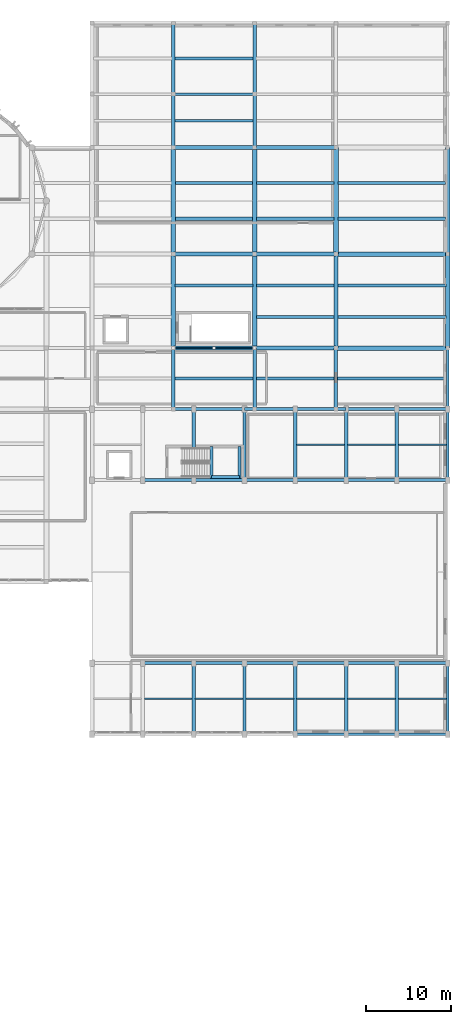
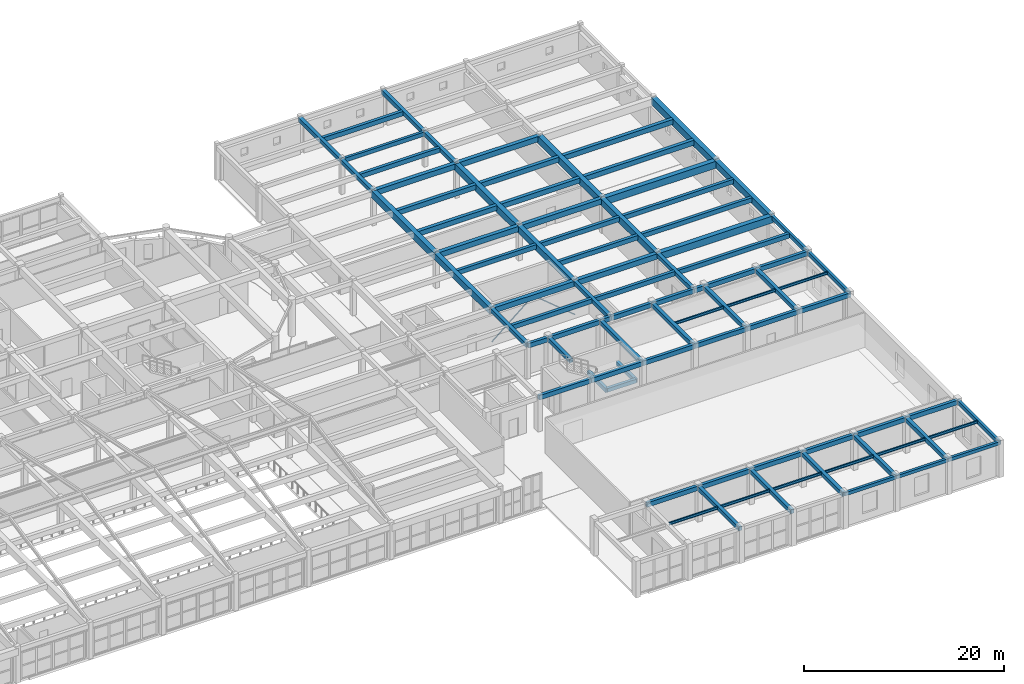
# One storey, part 54 of 91: 88 beams, 2 members.
"""IFC4 building model written with IfcOpenShell, lengths in metres."""

from ifc_helpers import new_model, si_unit, direction, frame, origin, origin_2d, place, context, subcontext, project, spatial, rectangle, hollow_circle, i_section, extrude, material, material_profile, profile_set, type_object, element, save


model = new_model("IFC4")

# Units and contexts
model_context = context("Model", 3, precision=1e-05, world=origin(), true_north=direction((0.0, 1.0)))
body_context = subcontext(model_context, "Body", "Model", "MODEL_VIEW")
ifc_project = project(units=[si_unit("LENGTHUNIT", "METRE"), si_unit("AREAUNIT", "SQUARE_METRE"), si_unit("VOLUMEUNIT", "CUBIC_METRE"), si_unit("PLANEANGLEUNIT", "RADIAN"), si_unit("MASSUNIT", "GRAM", prefix="KILO")], contexts=[model_context])

# Site, building, storey
site_placement = place(None, origin())
site = spatial("IfcSite", under=ifc_project, at=site_placement, CompositionType="ELEMENT")
building_placement = place(site_placement, origin())
building = spatial("IfcBuilding", under=site, at=building_placement, Name="Tarnavel Promenade Courthouse", CompositionType="ELEMENT")
storey_placement = place(building_placement, frame((0.0, 0.0, 9.89990234375)))
storey = spatial("IfcBuildingStorey", under=building, at=storey_placement, Name="L03", CompositionType="ELEMENT", Elevation=9.89990234375)

# Beams
ifc_material_1 = material(Name="Concrete C40/50", Category="concrete")
ifc_material_profile_1 = material_profile(ifc_material_1, rectangle(XDim=0.35009765625, YDim=0.550048828125, at=origin_2d()), Name="PT 350x550")
ifc_profile_set_1 = profile_set([ifc_material_profile_1], Name="Concrete C40/50")
beam_type_1 = type_object("IfcBeamType", Name="Concrete C40/50 BM-PT-350x550 (PT 350x550)", PredefinedType="JOIST", material=ifc_profile_set_1)
beam_1_placement = place(storey_placement, frame((129.77001953125, 70.800048828125, 3.97021484375), z_axis=(1.0, 0.0, 0.0), x_axis=(0.0, 1.0, 0.0)))
element("IfcBeam", 1, at=beam_1_placement, inside=storey, type_object=beam_type_1, Name="L03 Secondary Floor Rib 1861", PredefinedType="JOIST", context=body_context, shape_type="SweptSolid", body=[
    extrude(rectangle(XDim=0.35009765625, YDim=0.550048828125, at=origin_2d()), origin(), (0.0, 0.0, 1.0), 9.260009765625),
])
beam_2_placement = place(storey_placement, frame((139.3701171875, 70.800048828125, 3.97021484375), z_axis=(1.0, 0.0, 0.0), x_axis=(0.0, 1.0, 0.0)))
element("IfcBeam", 2, at=beam_2_placement, inside=storey, type_object=beam_type_1, Name="L03 Secondary Floor Rib 1862", PredefinedType="JOIST", context=body_context, shape_type="SweptSolid", body=[
    extrude(rectangle(XDim=0.35009765625, YDim=0.550048828125, at=origin_2d()), origin(), (0.0, 0.0, 1.0), 9.259765625),
])
beam_3_placement = place(storey_placement, frame((148.969970703125, 70.800048828125, 3.97021484375), z_axis=(1.0, 0.0, 0.0), x_axis=(0.0, 1.0, 0.0)))
element("IfcBeam", 3, at=beam_3_placement, inside=storey, type_object=beam_type_1, Name="L03 Secondary Floor Rib 1863", PredefinedType="JOIST", context=body_context, shape_type="SweptSolid", body=[
    extrude(rectangle(XDim=0.35009765625, YDim=0.550048828125, at=origin_2d()), origin(), (0.0, 0.0, 1.0), 12.909912109375),
])
beam_4_placement = place(storey_placement, frame((129.820068359375, 81.800048828125, 3.97021484375), z_axis=(1.0, 0.0, 0.0), x_axis=(0.0, 1.0, 0.0)))
element("IfcBeam", 4, at=beam_4_placement, inside=storey, type_object=beam_type_1, Name="L03 Secondary Floor Rib 1874", PredefinedType="JOIST", context=body_context, shape_type="SweptSolid", body=[
    extrude(rectangle(XDim=0.35009765625, YDim=0.550048828125, at=origin_2d()), origin(), (0.0, 0.0, 1.0), 9.159912109375),
])
for number, where, z_axis, x_axis, name in (
    (5, (139.419921875, 78.10009765625, 3.97021484375), (1.0, 0.0, 0.0), (0.0, 1.0, 0.0), "L03 Secondary Floor Rib 1875"),
    (6, (139.419921875, 81.800048828125, 3.97021484375), (1.0, 0.0, 0.0), (0.0, 1.0, 0.0), "L03 Secondary Floor Rib 1876"),
):
    element("IfcBeam", number, at=place(storey_placement, frame(where, z_axis=z_axis, x_axis=x_axis)), inside=storey, type_object=beam_type_1, Name=name, PredefinedType="JOIST", context=body_context, shape_type="SweptSolid", body=[
        extrude(rectangle(XDim=0.35009765625, YDim=0.550048828125, at=origin_2d()), origin(), (0.0, 0.0, 1.0), 9.16015625),
    ])
for number, where, z_axis, x_axis, name in (
    (7, (149.02001953125, 78.10009765625, 3.97021484375), (1.0, 0.0, 0.0), (0.0, 1.0, 0.0), "L03 Secondary Floor Rib 1877"),
    (8, (149.02001953125, 81.800048828125, 3.97021484375), (1.0, 0.0, 0.0), (0.0, 1.0, 0.0), "L03 Secondary Floor Rib 1878"),
):
    element("IfcBeam", number, at=place(storey_placement, frame(where, z_axis=z_axis, x_axis=x_axis)), inside=storey, type_object=beam_type_1, Name=name, PredefinedType="JOIST", context=body_context, shape_type="SweptSolid", body=[
        extrude(rectangle(XDim=0.35009765625, YDim=0.550048828125, at=origin_2d()), origin(), (0.0, 0.0, 1.0), 12.760009765625),
    ])
for number, where, z_axis, x_axis, name in (
    (9, (129.77001953125, 108.60009765625, 3.97021484375), (1.0, 0.0, 0.0), (0.0, 1.0, 0.0), "L03 Secondary Floor Rib 1953"),
    (10, (129.77001953125, 101.25, 3.97021484375), (1.0, 0.0, 0.0), (0.0, 1.0, 0.0), "L03 Secondary Floor Rib 1961"),
):
    element("IfcBeam", number, at=place(storey_placement, frame(where, z_axis=z_axis, x_axis=x_axis)), inside=storey, type_object=beam_type_1, Name=name, PredefinedType="JOIST", context=body_context, shape_type="SweptSolid", body=[
        extrude(rectangle(XDim=0.35009765625, YDim=0.550048828125, at=origin_2d()), origin(), (0.0, 0.0, 1.0), 9.260009765625),
    ])
ifc_material_profile_2 = material_profile(ifc_material_1, rectangle(XDim=0.39990234375, YDim=0.60009765625, at=origin_2d()), Name="PT 400x600")
ifc_profile_set_2 = profile_set([ifc_material_profile_2], Name="Concrete C40/50")
beam_type_2 = type_object("IfcBeamType", Name="Concrete C40/50 BM-PT-400x600 (PT 400x600)", PredefinedType="JOIST", material=ifc_profile_set_2)
for number, where, z_axis, x_axis, name in (
    (11, (129.844970703125, 89.699951171875, 3.945068359375), (1.0, 0.0, 0.0), (0.0, 1.0, 0.0), "L03 Secondary Floor Rib 1893"),
    (12, (129.844970703125, 93.89990234375, 3.945068359375), (1.0, 0.0, 0.0), (0.0, 1.0, 0.0), "L03 Secondary Floor Rib 1894"),
):
    element("IfcBeam", number, at=place(storey_placement, frame(where, z_axis=z_axis, x_axis=x_axis)), inside=storey, type_object=beam_type_2, Name=name, PredefinedType="JOIST", context=body_context, shape_type="SweptSolid", body=[
        extrude(rectangle(XDim=0.39990234375, YDim=0.60009765625, at=origin_2d()), origin(), (0.0, 0.0, 1.0), 9.110107421875),
    ])
for number, where, z_axis, x_axis, name in (
    (13, (139.445068359375, 89.699951171875, 3.945068359375), (1.0, 0.0, 0.0), (0.0, 1.0, 0.0), "L03 Secondary Floor Rib 1895"),
    (14, (139.445068359375, 93.89990234375, 3.945068359375), (1.0, 0.0, 0.0), (0.0, 1.0, 0.0), "L03 Secondary Floor Rib 1896"),
):
    element("IfcBeam", number, at=place(storey_placement, frame(where, z_axis=z_axis, x_axis=x_axis)), inside=storey, type_object=beam_type_2, Name=name, PredefinedType="JOIST", context=body_context, shape_type="SweptSolid", body=[
        extrude(rectangle(XDim=0.39990234375, YDim=0.60009765625, at=origin_2d()), origin(), (0.0, 0.0, 1.0), 9.10986328125),
    ])
for number, where, z_axis, x_axis, name in (
    (15, (149.044921875, 89.699951171875, 3.945068359375), (1.0, 0.0, 0.0), (0.0, 1.0, 0.0), "L03 Secondary Floor Rib 1897"),
    (16, (149.044921875, 93.89990234375, 3.945068359375), (1.0, 0.0, 0.0), (0.0, 1.0, 0.0), "L03 Secondary Floor Rib 1898"),
):
    element("IfcBeam", number, at=place(storey_placement, frame(where, z_axis=z_axis, x_axis=x_axis)), inside=storey, type_object=beam_type_2, Name=name, PredefinedType="JOIST", context=body_context, shape_type="SweptSolid", body=[
        extrude(rectangle(XDim=0.39990234375, YDim=0.60009765625, at=origin_2d()), origin(), (0.0, 0.0, 1.0), 12.7099609375),
    ])
ifc_material_profile_3 = material_profile(ifc_material_1, rectangle(XDim=0.5, YDim=0.800048828125, at=origin_2d()), Name="PT 500x800")
ifc_profile_set_3 = profile_set([ifc_material_profile_3], Name="Concrete C40/50")
beam_type_3 = type_object("IfcBeamType", Name="Concrete C40/50 BM-PT-500x800 (PT 500x800)", PredefinedType="T_BEAM", material=ifc_profile_set_3)
for number, where, z_axis, x_axis, name in (
    (17, (129.60009765625, 74.39990234375, 3.84521484375), (0.0, 1.0, 0.0), (-1.0, 0.0, 0.0), "L03 Transverse Girder 1790"),
    (18, (139.199951171875, 74.39990234375, 3.84521484375), (0.0, 1.0, 0.0), (-1.0, 0.0, 0.0), "L03 Transverse Girder 1799"),
    (19, (148.800048828125, 74.39990234375, 3.84521484375), (0.0, 1.0, 0.0), (-1.0, 0.0, 0.0), "L03 Transverse Girder 1806"),
    (20, (162.0, 74.39990234375, 3.84521484375), (0.0, 1.0, 0.0), (-1.0, 0.0, 0.0), "L03 Transverse Girder 1817"),
):
    element("IfcBeam", number, at=place(storey_placement, frame(where, z_axis=z_axis, x_axis=x_axis)), inside=storey, type_object=beam_type_3, Name=name, PredefinedType="T_BEAM", context=body_context, shape_type="SweptSolid", body=[
        extrude(rectangle(XDim=0.5, YDim=0.800048828125, at=origin_2d()), origin(), (0.0, 0.0, 1.0), 11.10009765625),
    ])
ifc_material_profile_4 = material_profile(ifc_material_1, rectangle(XDim=0.550048828125, YDim=0.85009765625, at=origin_2d()), Name="PT 550x850")
ifc_profile_set_4 = profile_set([ifc_material_profile_4], Name="Concrete C40/50")
beam_type_4 = type_object("IfcBeamType", Name="Concrete C40/50 BM-PT-550x850 (PT 550x850)", PredefinedType="T_BEAM", material=ifc_profile_set_4)
for number, where, z_axis, x_axis, name in (
    (21, (148.800048828125, 74.39990234375, 3.820068359375), (1.0, 0.0, 0.0), (0.0, 1.0, 0.0), "L03 Primary Longitudinal Beam 1627"),
    (22, (148.800048828125, 85.5, 3.820068359375), (1.0, 0.0, 0.0), (0.0, 1.0, 0.0), "L03 Primary Longitudinal Beam 1643"),
):
    element("IfcBeam", number, at=place(storey_placement, frame(where, z_axis=z_axis, x_axis=x_axis)), inside=storey, type_object=beam_type_4, Name=name, PredefinedType="T_BEAM", context=body_context, shape_type="SweptSolid", body=[
        extrude(rectangle(XDim=0.550048828125, YDim=0.85009765625, at=origin_2d()), origin(), (0.0, 0.0, 1.0), 13.199951171875),
    ])
for number, where, z_axis, x_axis, name in (
    (23, (129.60009765625, 85.5, 3.820068359375), (0.0, 1.0, 0.0), (-1.0, 0.0, 0.0), "L03 Transverse Girder 1791"),
    (24, (139.199951171875, 85.5, 3.820068359375), (0.0, 1.0, 0.0), (-1.0, 0.0, 0.0), "L03 Transverse Girder 1800"),
    (25, (148.800048828125, 85.5, 3.820068359375), (0.0, 1.0, 0.0), (-1.0, 0.0, 0.0), "L03 Transverse Girder 1807"),
    (26, (162.0, 85.5, 3.820068359375), (0.0, 1.0, 0.0), (-1.0, 0.0, 0.0), "L03 Transverse Girder 1818"),
):
    element("IfcBeam", number, at=place(storey_placement, frame(where, z_axis=z_axis, x_axis=x_axis)), inside=storey, type_object=beam_type_4, Name=name, PredefinedType="T_BEAM", context=body_context, shape_type="SweptSolid", body=[
        extrude(rectangle(XDim=0.550048828125, YDim=0.85009765625, at=origin_2d()), origin(), (0.0, 0.0, 1.0), 12.60009765625),
    ])
ifc_material_profile_5 = material_profile(ifc_material_1, rectangle(XDim=0.35009765625, YDim=0.449951171875, at=origin_2d()), Name="RC 350x450")
ifc_profile_set_5 = profile_set([ifc_material_profile_5], Name="Concrete C40/50")
beam_type_5 = type_object("IfcBeamType", Name="Concrete C40/50 BM-RC-350x450 (RC 350x450)", PredefinedType="BEAM", material=ifc_profile_set_5)
for number, where, z_axis, x_axis, name in (
    (27, (134.080078125, 59.02001953125, 1.820068359375), (0.0, 1.0, 0.0), (-1.0, 0.0, 0.0), "L03 ST-08 Mid-Landing Support Beam Near"),
    (28, (137.419921875, 59.02001953125, 1.820068359375), (0.0, 1.0, 0.0), (-1.0, 0.0, 0.0), "L03 ST-08 Mid-Landing Support Beam Far"),
):
    element("IfcBeam", number, at=place(storey_placement, frame(where, z_axis=z_axis, x_axis=x_axis)), inside=storey, type_object=beam_type_5, Name=name, PredefinedType="BEAM", context=body_context, shape_type="SweptSolid", body=[
        extrude(rectangle(XDim=0.35009765625, YDim=0.449951171875, at=origin_2d()), origin(), (0.0, 0.0, 1.0), 3.760009765625),
    ])
beam_5_placement = place(storey_placement, frame((134.080078125, 59.169921875, 1.820068359375), z_axis=(1.0, 0.0, 0.0), x_axis=(0.0, 1.0, 0.0)))
element("IfcBeam", 29, at=beam_5_placement, inside=storey, type_object=beam_type_5, Name="L03 ST-08 Mid-Landing Edge Trimmer", PredefinedType="BEAM", context=body_context, shape_type="SweptSolid", body=[
    extrude(rectangle(XDim=0.35009765625, YDim=0.449951171875, at=origin_2d()), origin(), (0.0, 0.0, 1.0), 3.33984375),
])
ifc_material_profile_6 = material_profile(ifc_material_1, rectangle(XDim=0.35009765625, YDim=0.550048828125, at=origin_2d()), Name="RC 350x550")
ifc_profile_set_6 = profile_set([ifc_material_profile_6], Name="Concrete C40/50")
beam_type_6 = type_object("IfcBeamType", Name="Concrete C40/50 BM-RC-350x550 (RC 350x550)", PredefinedType="BEAM", material=ifc_profile_set_6)
for number, where, z_axis, x_axis, name in (
    (30, (126.0, 37.199951171875, 3.97021484375), (1.0, 0.0, 0.0), (0.0, 1.0, 0.0), "L03 Primary Longitudinal Beam 1561"),
    (31, (132.0, 37.199951171875, 3.97021484375), (1.0, 0.0, 0.0), (0.0, 1.0, 0.0), "L03 Primary Longitudinal Beam 1562"),
    (32, (138.0, 37.199951171875, 3.97021484375), (1.0, 0.0, 0.0), (0.0, 1.0, 0.0), "L03 Primary Longitudinal Beam 1563"),
    (33, (144.0, 37.199951171875, 3.97021484375), (1.0, 0.0, 0.0), (0.0, 1.0, 0.0), "L03 Primary Longitudinal Beam 1564"),
    (34, (150.0, 37.199951171875, 3.97021484375), (1.0, 0.0, 0.0), (0.0, 1.0, 0.0), "L03 Primary Longitudinal Beam 1565"),
    (35, (156.0, 37.199951171875, 3.97021484375), (1.0, 0.0, 0.0), (0.0, 1.0, 0.0), "L03 Primary Longitudinal Beam 1566"),
    (36, (126.0, 58.800048828125, 3.97021484375), (1.0, 0.0, 0.0), (0.0, 1.0, 0.0), "L03 Primary Longitudinal Beam 1582"),
    (37, (132.0, 58.800048828125, 3.97021484375), (1.0, 0.0, 0.0), (0.0, 1.0, 0.0), "L03 Primary Longitudinal Beam 1583"),
    (38, (138.0, 58.800048828125, 3.97021484375), (1.0, 0.0, 0.0), (0.0, 1.0, 0.0), "L03 Primary Longitudinal Beam 1584"),
    (39, (144.0, 58.800048828125, 3.97021484375), (1.0, 0.0, 0.0), (0.0, 1.0, 0.0), "L03 Primary Longitudinal Beam 1585"),
    (40, (150.0, 58.800048828125, 3.97021484375), (1.0, 0.0, 0.0), (0.0, 1.0, 0.0), "L03 Primary Longitudinal Beam 1586"),
    (41, (156.0, 58.800048828125, 3.97021484375), (1.0, 0.0, 0.0), (0.0, 1.0, 0.0), "L03 Primary Longitudinal Beam 1587"),
):
    element("IfcBeam", number, at=place(storey_placement, frame(where, z_axis=z_axis, x_axis=x_axis)), inside=storey, type_object=beam_type_6, Name=name, PredefinedType="BEAM", context=body_context, shape_type="SweptSolid", body=[
        extrude(rectangle(XDim=0.35009765625, YDim=0.550048828125, at=origin_2d()), origin(), (0.0, 0.0, 1.0), 6.0),
    ])
beam_6_placement = place(storey_placement, frame((129.60009765625, 67.199951171875, 3.97021484375), z_axis=(1.0, 0.0, 0.0), x_axis=(0.0, 1.0, 0.0)))
element("IfcBeam", 42, at=beam_6_placement, inside=storey, type_object=beam_type_6, Name="L03 Primary Longitudinal Beam 1603", PredefinedType="BEAM", context=body_context, shape_type="SweptSolid", body=[
    extrude(rectangle(XDim=0.35009765625, YDim=0.550048828125, at=origin_2d()), origin(), (0.0, 0.0, 1.0), 2.39990234375),
])
beam_7_placement = place(storey_placement, frame((132.0, 67.199951171875, 3.97021484375), z_axis=(1.0, 0.0, 0.0), x_axis=(0.0, 1.0, 0.0)))
element("IfcBeam", 43, at=beam_7_placement, inside=storey, type_object=beam_type_6, Name="L03 Primary Longitudinal Beam 1604", PredefinedType="BEAM", context=body_context, shape_type="SweptSolid", body=[
    extrude(rectangle(XDim=0.35009765625, YDim=0.550048828125, at=origin_2d()), origin(), (0.0, 0.0, 1.0), 6.0),
])
beam_8_placement = place(storey_placement, frame((138.0, 67.199951171875, 3.97021484375), z_axis=(1.0, 0.0, 0.0), x_axis=(0.0, 1.0, 0.0)))
element("IfcBeam", 44, at=beam_8_placement, inside=storey, type_object=beam_type_6, Name="L03 Primary Longitudinal Beam 1605", PredefinedType="BEAM", context=body_context, shape_type="SweptSolid", body=[
    extrude(rectangle(XDim=0.35009765625, YDim=0.550048828125, at=origin_2d()), origin(), (0.0, 0.0, 1.0), 1.199951171875),
])
for number, where, z_axis, x_axis, name in (
    (45, (139.199951171875, 67.199951171875, 3.97021484375), (1.0, 0.0, 0.0), (0.0, 1.0, 0.0), "L03 Primary Longitudinal Beam 1606"),
    (46, (144.0, 67.199951171875, 3.97021484375), (1.0, 0.0, 0.0), (0.0, 1.0, 0.0), "L03 Primary Longitudinal Beam 1607"),
):
    element("IfcBeam", number, at=place(storey_placement, frame(where, z_axis=z_axis, x_axis=x_axis)), inside=storey, type_object=beam_type_6, Name=name, PredefinedType="BEAM", context=body_context, shape_type="SweptSolid", body=[
        extrude(rectangle(XDim=0.35009765625, YDim=0.550048828125, at=origin_2d()), origin(), (0.0, 0.0, 1.0), 4.800048828125),
    ])
beam_9_placement = place(storey_placement, frame((148.800048828125, 67.199951171875, 3.97021484375), z_axis=(1.0, 0.0, 0.0), x_axis=(0.0, 1.0, 0.0)))
element("IfcBeam", 47, at=beam_9_placement, inside=storey, type_object=beam_type_6, Name="L03 Primary Longitudinal Beam 1608", PredefinedType="BEAM", context=body_context, shape_type="SweptSolid", body=[
    extrude(rectangle(XDim=0.35009765625, YDim=0.550048828125, at=origin_2d()), origin(), (0.0, 0.0, 1.0), 1.199951171875),
])
for number, where, z_axis, x_axis, name in (
    (48, (150.0, 67.199951171875, 3.97021484375), (1.0, 0.0, 0.0), (0.0, 1.0, 0.0), "L03 Primary Longitudinal Beam 1609"),
    (49, (156.0, 67.199951171875, 3.97021484375), (1.0, 0.0, 0.0), (0.0, 1.0, 0.0), "L03 Primary Longitudinal Beam 1610"),
):
    element("IfcBeam", number, at=place(storey_placement, frame(where, z_axis=z_axis, x_axis=x_axis)), inside=storey, type_object=beam_type_6, Name=name, PredefinedType="BEAM", context=body_context, shape_type="SweptSolid", body=[
        extrude(rectangle(XDim=0.35009765625, YDim=0.550048828125, at=origin_2d()), origin(), (0.0, 0.0, 1.0), 6.0),
    ])
ifc_material_profile_7 = material_profile(ifc_material_1, rectangle(XDim=0.39990234375, YDim=0.5, at=origin_2d()), Name="RC 400x500")
ifc_profile_set_7 = profile_set([ifc_material_profile_7], Name="Concrete C40/50")
beam_type_7 = type_object("IfcBeamType", Name="Concrete C40/50 BM-RC-400x500 (RC 400x500)", PredefinedType="BEAM", material=ifc_profile_set_7)
beam_10_placement = place(storey_placement, frame((129.60009765625, 67.199951171875, 3.9951171875), z_axis=(0.0, 1.0, 0.0), x_axis=(-1.0, 0.0, 0.0)))
element("IfcBeam", 50, at=beam_10_placement, inside=storey, type_object=beam_type_7, Name="L03 Transverse Girder 1789", PredefinedType="BEAM", context=body_context, shape_type="SweptSolid", body=[
    extrude(rectangle(XDim=0.39990234375, YDim=0.5, at=origin_2d()), origin(), (0.0, 0.0, 1.0), 7.199951171875),
])
beam_11_placement = place(storey_placement, frame((129.60009765625, 98.10009765625, 3.9951171875), z_axis=(0.0, 1.0, 0.0), x_axis=(-1.0, 0.0, 0.0)))
element("IfcBeam", 51, at=beam_11_placement, inside=storey, type_object=beam_type_7, Name="L03 Transverse Girder 1792", PredefinedType="BEAM", context=body_context, shape_type="SweptSolid", body=[
    extrude(rectangle(XDim=0.39990234375, YDim=0.5, at=origin_2d()), origin(), (0.0, 0.0, 1.0), 6.2998046875),
])
beam_12_placement = place(storey_placement, frame((129.60009765625, 104.39990234375, 3.9951171875), z_axis=(0.0, 1.0, 0.0), x_axis=(-1.0, 0.0, 0.0)))
element("IfcBeam", 52, at=beam_12_placement, inside=storey, type_object=beam_type_7, Name="L03 Transverse Girder 1793", PredefinedType="BEAM", context=body_context, shape_type="SweptSolid", body=[
    extrude(rectangle(XDim=0.39990234375, YDim=0.5, at=origin_2d()), origin(), (0.0, 0.0, 1.0), 8.400146484375),
])
beam_13_placement = place(storey_placement, frame((132.0, 28.800048828125, 3.9951171875), z_axis=(0.0, 1.0, 0.0), x_axis=(-1.0, 0.0, 0.0)))
element("IfcBeam", 53, at=beam_13_placement, inside=storey, type_object=beam_type_7, Name="L03 Transverse Girder 1794", PredefinedType="BEAM", context=body_context, shape_type="SweptSolid", body=[
    extrude(rectangle(XDim=0.39990234375, YDim=0.5, at=origin_2d()), origin(), (0.0, 0.0, 1.0), 8.39990234375),
])
beam_14_placement = place(storey_placement, frame((132.0, 62.64990234375, 3.9951171875), z_axis=(0.0, 1.0, 0.0), x_axis=(-1.0, 0.0, 0.0)))
element("IfcBeam", 54, at=beam_14_placement, inside=storey, type_object=beam_type_7, Name="L03 Transverse Girder 1795", PredefinedType="BEAM", context=body_context, shape_type="SweptSolid", body=[
    extrude(rectangle(XDim=0.39990234375, YDim=0.5, at=origin_2d()), origin(), (0.0, 0.0, 1.0), 4.550048828125),
])
for number, where, z_axis, x_axis, name in (
    (55, (138.0, 28.800048828125, 3.9951171875), (0.0, 1.0, 0.0), (-1.0, 0.0, 0.0), "L03 Transverse Girder 1796"),
    (56, (138.0, 58.800048828125, 3.9951171875), (0.0, 1.0, 0.0), (-1.0, 0.0, 0.0), "L03 Transverse Girder 1797"),
):
    element("IfcBeam", number, at=place(storey_placement, frame(where, z_axis=z_axis, x_axis=x_axis)), inside=storey, type_object=beam_type_7, Name=name, PredefinedType="BEAM", context=body_context, shape_type="SweptSolid", body=[
        extrude(rectangle(XDim=0.39990234375, YDim=0.5, at=origin_2d()), origin(), (0.0, 0.0, 1.0), 8.39990234375),
    ])
beam_15_placement = place(storey_placement, frame((139.199951171875, 67.199951171875, 3.9951171875), z_axis=(0.0, 1.0, 0.0), x_axis=(-1.0, 0.0, 0.0)))
element("IfcBeam", 57, at=beam_15_placement, inside=storey, type_object=beam_type_7, Name="L03 Transverse Girder 1798", PredefinedType="BEAM", context=body_context, shape_type="SweptSolid", body=[
    extrude(rectangle(XDim=0.39990234375, YDim=0.5, at=origin_2d()), origin(), (0.0, 0.0, 1.0), 7.199951171875),
])
beam_16_placement = place(storey_placement, frame((139.199951171875, 98.10009765625, 3.9951171875), z_axis=(0.0, 1.0, 0.0), x_axis=(-1.0, 0.0, 0.0)))
element("IfcBeam", 58, at=beam_16_placement, inside=storey, type_object=beam_type_7, Name="L03 Transverse Girder 1801", PredefinedType="BEAM", context=body_context, shape_type="SweptSolid", body=[
    extrude(rectangle(XDim=0.39990234375, YDim=0.5, at=origin_2d()), origin(), (0.0, 0.0, 1.0), 6.2998046875),
])
beam_17_placement = place(storey_placement, frame((139.199951171875, 104.39990234375, 3.9951171875), z_axis=(0.0, 1.0, 0.0), x_axis=(-1.0, 0.0, 0.0)))
element("IfcBeam", 59, at=beam_17_placement, inside=storey, type_object=beam_type_7, Name="L03 Transverse Girder 1802", PredefinedType="BEAM", context=body_context, shape_type="SweptSolid", body=[
    extrude(rectangle(XDim=0.39990234375, YDim=0.5, at=origin_2d()), origin(), (0.0, 0.0, 1.0), 8.400146484375),
])
for number, where, z_axis, x_axis, name in (
    (60, (144.0, 28.800048828125, 3.9951171875), (0.0, 1.0, 0.0), (-1.0, 0.0, 0.0), "L03 Transverse Girder 1803"),
    (61, (144.0, 58.800048828125, 3.9951171875), (0.0, 1.0, 0.0), (-1.0, 0.0, 0.0), "L03 Transverse Girder 1804"),
):
    element("IfcBeam", number, at=place(storey_placement, frame(where, z_axis=z_axis, x_axis=x_axis)), inside=storey, type_object=beam_type_7, Name=name, PredefinedType="BEAM", context=body_context, shape_type="SweptSolid", body=[
        extrude(rectangle(XDim=0.39990234375, YDim=0.5, at=origin_2d()), origin(), (0.0, 0.0, 1.0), 8.39990234375),
    ])
beam_18_placement = place(storey_placement, frame((148.800048828125, 67.199951171875, 3.9951171875), z_axis=(0.0, 1.0, 0.0), x_axis=(-1.0, 0.0, 0.0)))
element("IfcBeam", 62, at=beam_18_placement, inside=storey, type_object=beam_type_7, Name="L03 Transverse Girder 1805", PredefinedType="BEAM", context=body_context, shape_type="SweptSolid", body=[
    extrude(rectangle(XDim=0.39990234375, YDim=0.5, at=origin_2d()), origin(), (0.0, 0.0, 1.0), 7.199951171875),
])
for number, where, z_axis, x_axis, name in (
    (63, (150.0, 28.800048828125, 3.9951171875), (0.0, 1.0, 0.0), (-1.0, 0.0, 0.0), "L03 Transverse Girder 1810"),
    (64, (150.0, 58.800048828125, 3.9951171875), (0.0, 1.0, 0.0), (-1.0, 0.0, 0.0), "L03 Transverse Girder 1811"),
    (65, (156.0, 28.800048828125, 3.9951171875), (0.0, 1.0, 0.0), (-1.0, 0.0, 0.0), "L03 Transverse Girder 1812"),
    (66, (156.0, 58.800048828125, 3.9951171875), (0.0, 1.0, 0.0), (-1.0, 0.0, 0.0), "L03 Transverse Girder 1813"),
):
    element("IfcBeam", number, at=place(storey_placement, frame(where, z_axis=z_axis, x_axis=x_axis)), inside=storey, type_object=beam_type_7, Name=name, PredefinedType="BEAM", context=body_context, shape_type="SweptSolid", body=[
        extrude(rectangle(XDim=0.39990234375, YDim=0.5, at=origin_2d()), origin(), (0.0, 0.0, 1.0), 8.39990234375),
    ])
ifc_material_profile_8 = material_profile(ifc_material_1, rectangle(XDim=0.449951171875, YDim=0.64990234375, at=origin_2d()), Name="RC 450x650")
ifc_profile_set_8 = profile_set([ifc_material_profile_8], Name="Concrete C40/50")
beam_type_8 = type_object("IfcBeamType", Name="Concrete C40/50 BM-RC-450x650 (RC 450x650)", PredefinedType="T_BEAM", material=ifc_profile_set_8)
beam_19_placement = place(storey_placement, frame((129.60009765625, 74.39990234375, 3.920166015625), z_axis=(1.0, 0.0, 0.0), x_axis=(0.0, 1.0, 0.0)))
element("IfcBeam", 67, at=beam_19_placement, inside=storey, type_object=beam_type_8, Name="L03 Primary Longitudinal Beam 1625", PredefinedType="T_BEAM", context=body_context, shape_type="SweptSolid", body=[
    extrude(rectangle(XDim=0.449951171875, YDim=0.64990234375, at=origin_2d()), origin(), (0.0, 0.0, 1.0), 9.599853515625),
])
beam_20_placement = place(storey_placement, frame((139.199951171875, 74.39990234375, 3.920166015625), z_axis=(1.0, 0.0, 0.0), x_axis=(0.0, 1.0, 0.0)))
element("IfcBeam", 68, at=beam_20_placement, inside=storey, type_object=beam_type_8, Name="L03 Primary Longitudinal Beam 1626", PredefinedType="T_BEAM", context=body_context, shape_type="SweptSolid", body=[
    extrude(rectangle(XDim=0.449951171875, YDim=0.64990234375, at=origin_2d()), origin(), (0.0, 0.0, 1.0), 9.60009765625),
])
beam_21_placement = place(storey_placement, frame((129.60009765625, 85.5, 3.920166015625), z_axis=(1.0, 0.0, 0.0), x_axis=(0.0, 1.0, 0.0)))
element("IfcBeam", 69, at=beam_21_placement, inside=storey, type_object=beam_type_8, Name="L03 Primary Longitudinal Beam 1641", PredefinedType="T_BEAM", context=body_context, shape_type="SweptSolid", body=[
    extrude(rectangle(XDim=0.449951171875, YDim=0.64990234375, at=origin_2d()), origin(), (0.0, 0.0, 1.0), 9.599853515625),
])
beam_22_placement = place(storey_placement, frame((139.199951171875, 85.5, 3.920166015625), z_axis=(1.0, 0.0, 0.0), x_axis=(0.0, 1.0, 0.0)))
element("IfcBeam", 70, at=beam_22_placement, inside=storey, type_object=beam_type_8, Name="L03 Primary Longitudinal Beam 1642", PredefinedType="T_BEAM", context=body_context, shape_type="SweptSolid", body=[
    extrude(rectangle(XDim=0.449951171875, YDim=0.64990234375, at=origin_2d()), origin(), (0.0, 0.0, 1.0), 9.60009765625),
])
beam_23_placement = place(storey_placement, frame((129.60009765625, 98.10009765625, 3.920166015625), z_axis=(1.0, 0.0, 0.0), x_axis=(0.0, 1.0, 0.0)))
element("IfcBeam", 71, at=beam_23_placement, inside=storey, type_object=beam_type_8, Name="L03 Primary Longitudinal Beam 1659", PredefinedType="T_BEAM", context=body_context, shape_type="SweptSolid", body=[
    extrude(rectangle(XDim=0.449951171875, YDim=0.64990234375, at=origin_2d()), origin(), (0.0, 0.0, 1.0), 9.599853515625),
])
beam_24_placement = place(storey_placement, frame((139.199951171875, 98.10009765625, 3.920166015625), z_axis=(1.0, 0.0, 0.0), x_axis=(0.0, 1.0, 0.0)))
element("IfcBeam", 72, at=beam_24_placement, inside=storey, type_object=beam_type_8, Name="L03 Primary Longitudinal Beam 1660", PredefinedType="T_BEAM", context=body_context, shape_type="SweptSolid", body=[
    extrude(rectangle(XDim=0.449951171875, YDim=0.64990234375, at=origin_2d()), origin(), (0.0, 0.0, 1.0), 9.60009765625),
])
ifc_material_profile_9 = material_profile(ifc_material_1, rectangle(XDim=0.300048828125, YDim=0.39990234375, at=origin_2d()), Name="RC 300x400")
ifc_profile_set_9 = profile_set([ifc_material_profile_9], Name="Concrete C40/50")
beam_type_9 = type_object("IfcBeamType", Name="Concrete C40/50 BM-SP-300x400 (RC 300x400)", PredefinedType="SPANDREL", material=ifc_profile_set_9)
for number, where, z_axis, x_axis, name in (
    (73, (144.0, 28.800048828125, 4.045166015625), (1.0, 0.0, 0.0), (0.0, 1.0, 0.0), "L03 Primary Longitudinal Beam 1546"),
    (74, (150.0, 28.800048828125, 4.045166015625), (1.0, 0.0, 0.0), (0.0, 1.0, 0.0), "L03 Primary Longitudinal Beam 1547"),
    (75, (156.0, 28.800048828125, 4.045166015625), (1.0, 0.0, 0.0), (0.0, 1.0, 0.0), "L03 Primary Longitudinal Beam 1548"),
):
    element("IfcBeam", number, at=place(storey_placement, frame(where, z_axis=z_axis, x_axis=x_axis)), inside=storey, type_object=beam_type_9, Name=name, PredefinedType="SPANDREL", context=body_context, shape_type="SweptSolid", body=[
        extrude(rectangle(XDim=0.300048828125, YDim=0.39990234375, at=origin_2d()), origin(), (0.0, 0.0, 1.0), 6.0),
    ])
ifc_material_profile_10 = material_profile(ifc_material_1, rectangle(XDim=0.300048828125, YDim=0.5, at=origin_2d()), Name="RC 300x500")
ifc_profile_set_10 = profile_set([ifc_material_profile_10], Name="Concrete C40/50")
beam_type_10 = type_object("IfcBeamType", Name="Concrete C40/50 BM-SP-300x500 (RC 300x500)", PredefinedType="SPANDREL", material=ifc_profile_set_10)
beam_25_placement = place(storey_placement, frame((129.60009765625, 104.39990234375, 3.9951171875), z_axis=(1.0, 0.0, 0.0), x_axis=(0.0, 1.0, 0.0)))
element("IfcBeam", 76, at=beam_25_placement, inside=storey, type_object=beam_type_10, Name="L03 Primary Longitudinal Beam 1668", PredefinedType="SPANDREL", context=body_context, shape_type="SweptSolid", body=[
    extrude(rectangle(XDim=0.300048828125, YDim=0.5, at=origin_2d()), origin(), (0.0, 0.0, 1.0), 9.599853515625),
])
for number, where, z_axis, x_axis, name in (
    (77, (162.0, 28.800048828125, 3.9951171875), (0.0, 1.0, 0.0), (-1.0, 0.0, 0.0), "L03 Transverse Girder 1814"),
    (78, (162.0, 58.800048828125, 3.9951171875), (0.0, 1.0, 0.0), (-1.0, 0.0, 0.0), "L03 Transverse Girder 1815"),
):
    element("IfcBeam", number, at=place(storey_placement, frame(where, z_axis=z_axis, x_axis=x_axis)), inside=storey, type_object=beam_type_10, Name=name, PredefinedType="SPANDREL", context=body_context, shape_type="SweptSolid", body=[
        extrude(rectangle(XDim=0.300048828125, YDim=0.5, at=origin_2d()), origin(), (0.0, 0.0, 1.0), 8.39990234375),
    ])
beam_26_placement = place(storey_placement, frame((162.0, 67.199951171875, 3.9951171875), z_axis=(0.0, 1.0, 0.0), x_axis=(-1.0, 0.0, 0.0)))
element("IfcBeam", 79, at=beam_26_placement, inside=storey, type_object=beam_type_10, Name="L03 Transverse Girder 1816", PredefinedType="SPANDREL", context=body_context, shape_type="SweptSolid", body=[
    extrude(rectangle(XDim=0.300048828125, YDim=0.5, at=origin_2d()), origin(), (0.0, 0.0, 1.0), 7.199951171875),
])
ifc_material_2 = material(Name="Steel S355J2", Category="steel")
ifc_material_profile_11 = material_profile(ifc_material_2, i_section(OverallWidth=0.159912109375, OverallDepth=0.330078125, WebThickness=0.007568359375, FlangeThickness=0.011474609375, FilletRadius=0.01806640625, at=origin_2d()), Name="IPE 330")
ifc_profile_set_11 = profile_set([ifc_material_profile_11], Name="Steel S355J2")
beam_type_11 = type_object("IfcBeamType", Name="Steel S355J2 BM-ST-IPE330 (IPE 330)", PredefinedType="JOIST", material=ifc_profile_set_11)
for number, where, z_axis, x_axis, name in (
    (80, (126.169921875, 33.0, 4.080078125), (1.0, 0.0, 0.0), (0.0, 1.0, 0.0), "L03 Secondary Floor Rib 1825"),
    (81, (132.169921875, 33.0, 4.080078125), (1.0, 0.0, 0.0), (0.0, 1.0, 0.0), "L03 Secondary Floor Rib 1826"),
    (82, (138.169921875, 33.0, 4.080078125), (1.0, 0.0, 0.0), (0.0, 1.0, 0.0), "L03 Secondary Floor Rib 1827"),
    (83, (144.169921875, 33.0, 4.080078125), (1.0, 0.0, 0.0), (0.0, 1.0, 0.0), "L03 Secondary Floor Rib 1828"),
    (84, (150.169921875, 33.0, 4.080078125), (1.0, 0.0, 0.0), (0.0, 1.0, 0.0), "L03 Secondary Floor Rib 1829"),
):
    element("IfcBeam", number, at=place(storey_placement, frame(where, z_axis=z_axis, x_axis=x_axis)), inside=storey, type_object=beam_type_11, Name=name, PredefinedType="JOIST", context=body_context, shape_type="SweptSolid", body=[
        extrude(i_section(OverallWidth=0.159912109375, OverallDepth=0.330078125, WebThickness=0.007568359375, FlangeThickness=0.011474609375, FilletRadius=0.01806640625, at=origin_2d()), origin(), (0.0, 0.0, 1.0), 5.66015625),
    ])
beam_27_placement = place(storey_placement, frame((156.169921875, 33.0, 4.080078125), z_axis=(1.0, 0.0, 0.0), x_axis=(0.0, 1.0, 0.0)))
element("IfcBeam", 85, at=beam_27_placement, inside=storey, type_object=beam_type_11, Name="L03 Secondary Floor Rib 1830", PredefinedType="JOIST", context=body_context, shape_type="SweptSolid", body=[
    extrude(i_section(OverallWidth=0.159912109375, OverallDepth=0.330078125, WebThickness=0.007568359375, FlangeThickness=0.011474609375, FilletRadius=0.01806640625, at=origin_2d()), origin(), (0.0, 0.0, 1.0), 5.7099609375),
])
for number, where, z_axis, x_axis, name in (
    (86, (144.169921875, 63.0, 4.080078125), (1.0, 0.0, 0.0), (0.0, 1.0, 0.0), "L03 Secondary Floor Rib 1957"),
    (87, (150.169921875, 63.0, 4.080078125), (1.0, 0.0, 0.0), (0.0, 1.0, 0.0), "L03 Secondary Floor Rib 1958"),
):
    element("IfcBeam", number, at=place(storey_placement, frame(where, z_axis=z_axis, x_axis=x_axis)), inside=storey, type_object=beam_type_11, Name=name, PredefinedType="JOIST", context=body_context, shape_type="SweptSolid", body=[
        extrude(i_section(OverallWidth=0.159912109375, OverallDepth=0.330078125, WebThickness=0.007568359375, FlangeThickness=0.011474609375, FilletRadius=0.01806640625, at=origin_2d()), origin(), (0.0, 0.0, 1.0), 5.66015625),
    ])
beam_28_placement = place(storey_placement, frame((156.169921875, 63.0, 4.080078125), z_axis=(1.0, 0.0, 0.0), x_axis=(0.0, 1.0, 0.0)))
element("IfcBeam", 88, at=beam_28_placement, inside=storey, type_object=beam_type_11, Name="L03 Secondary Floor Rib 1959", PredefinedType="JOIST", context=body_context, shape_type="SweptSolid", body=[
    extrude(i_section(OverallWidth=0.159912109375, OverallDepth=0.330078125, WebThickness=0.007568359375, FlangeThickness=0.011474609375, FilletRadius=0.01806640625, at=origin_2d()), origin(), (0.0, 0.0, 1.0), 5.7099609375),
])

# Members
ifc_material_profile_12 = material_profile(ifc_material_2, hollow_circle(Radius=0.06982421875, WallThickness=0.008056640625, at=origin_2d()), Name="CHS 139.7x8")
ifc_profile_set_12 = profile_set([ifc_material_profile_12], Name="Steel S355J2")
member_type = type_object("IfcMemberType", Name="Steel S355J2 MEM-BR-CHS140 (CHS 139.7x8)", PredefinedType="BRACE", material=ifc_profile_set_12)
member_1_placement = place(storey_placement, frame((129.60009765625, 74.39990234375, 0.0), z_axis=(0.768592865874, 0.0, 0.639738232816), x_axis=(0.0, 1.0, 0.0)))
element("IfcMember", 89, at=member_1_placement, inside=storey, type_object=member_type, Name="L03 V6 Chevron Brace A 050", PredefinedType="BRACE", context=body_context, shape_type="SweptSolid", body=[
    extrude(hollow_circle(Radius=0.06982421875, WallThickness=0.008056640625, at=origin_2d()), origin(), (0.0, 0.0, 1.0), 6.244873046875),
])
member_2_placement = place(storey_placement, frame((139.199951171875, 74.39990234375, 0.0), z_axis=(-0.76860886506, 0.0, 0.639719010622), x_axis=(0.0, -1.0, 0.0)))
element("IfcMember", 90, at=member_2_placement, inside=storey, type_object=member_type, Name="L03 V6 Chevron Brace B 050", PredefinedType="BRACE", context=body_context, shape_type="SweptSolid", body=[
    extrude(hollow_circle(Radius=0.06982421875, WallThickness=0.008056640625, at=origin_2d()), origin(), (0.0, 0.0, 1.0), 6.2451171875),
])

save(model, "model.ifc")
